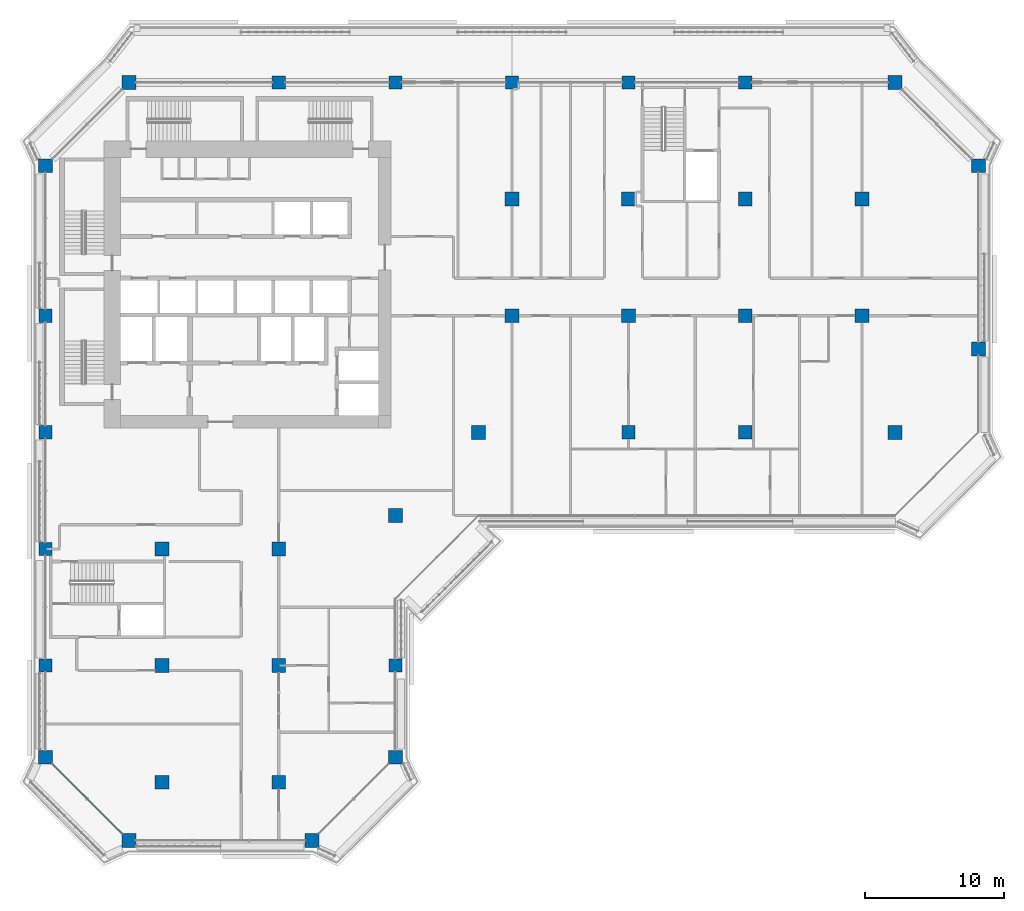
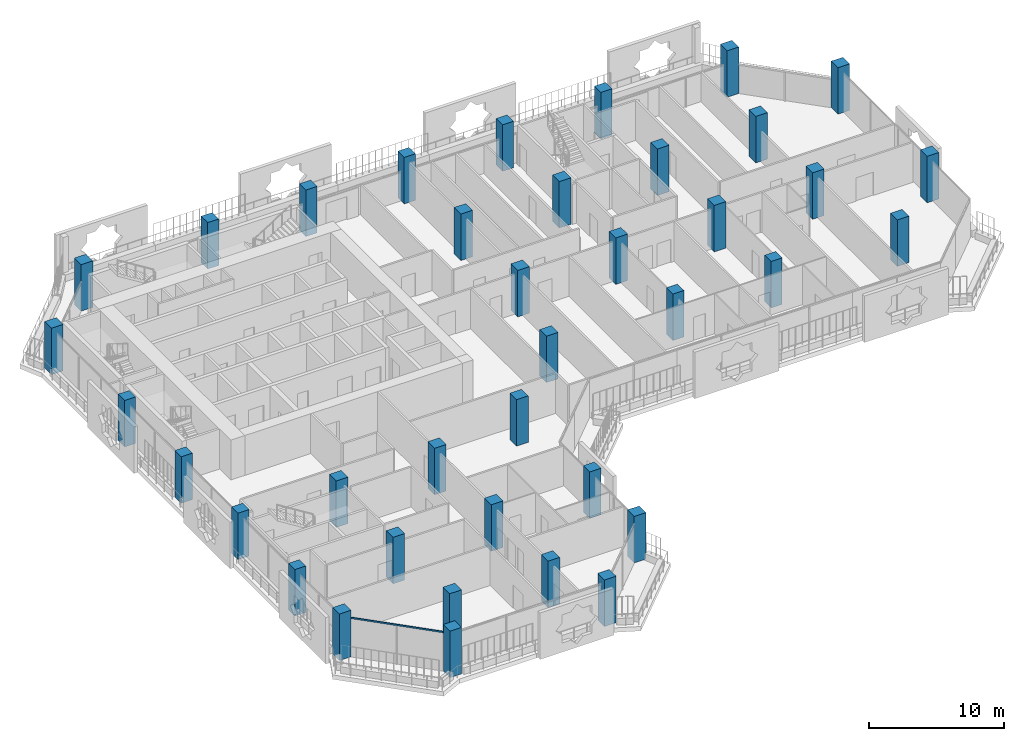
# One storey, part 1 of 22: 38 columns, 1 member, 1 element without a shape of its own.
"""IFC4 building model written with IfcOpenShell, lengths in metres."""

from ifc_helpers import new_model, si_unit, direction, frame, origin, origin_2d, place, context, subcontext, project, spatial, rectangle, extrude, material, layer, layer_set, material_profile, profile_set, type_object, element, aggregate, save


model = new_model("IFC4")

# Units and contexts
model_context = context("Model", 3, precision=1e-05, world=origin(), true_north=direction((0.0, 1.0)))
body_context = subcontext(model_context, "Body", "Model", "MODEL_VIEW")
ifc_project = project(units=[si_unit("LENGTHUNIT", "METRE"), si_unit("AREAUNIT", "SQUARE_METRE"), si_unit("VOLUMEUNIT", "CUBIC_METRE"), si_unit("PLANEANGLEUNIT", "RADIAN"), si_unit("MASSUNIT", "GRAM", prefix="KILO")], contexts=[model_context])

# Site, building, storey
site_placement = place(None, origin())
site = spatial("IfcSite", under=ifc_project, at=site_placement, CompositionType="ELEMENT")
building_placement = place(site_placement, origin())
building = spatial("IfcBuilding", under=site, at=building_placement, Name="Kawkab Arch Medical Tower", CompositionType="ELEMENT")
storey_placement = place(building_placement, frame((0.0, 0.0, 183.60009765625)))
storey = spatial("IfcBuildingStorey", under=building, at=storey_placement, Name="L42", CompositionType="ELEMENT", Elevation=183.60009765625)

# Columns
ifc_material_1 = material(Name="Concrete C50/60", Category="concrete")
ifc_material_profile_1 = material_profile(ifc_material_1, rectangle(XDim=1.0, YDim=1.0, at=origin_2d()), Name="RC 1000x1000")
ifc_profile_set_1 = profile_set([ifc_material_profile_1], Name="Concrete C50/60")
column_type_1 = type_object("IfcColumnType", Name="RC 1000x1000 column C50/60", PredefinedType="COLUMN", material=ifc_profile_set_1)
for number, where, z_axis, x_axis, name in (
    (1, (6.0, 0.0, 0.0), (0.0, 0.0, 1.0), (1.0, 0.0, 0.0), "Column RC 1000x1000"),
    (2, (61.199951171875, 0.0, 0.0), (0.0, 0.0, 1.0), (1.0, 0.0, 0.0), "Column RC 1000x1000"),
    (3, (0.0, -6.0, 0.0), (0.0, 0.0, 1.0), (1.0, 0.0, 0.0), "Column RC 1000x1000"),
    (4, (67.199951171875, -6.0, 0.0), (0.0, 0.0, 1.0), (1.0, 0.0, 0.0), "Column RC 1000x1000"),
    (5, (33.60009765625, -8.39990234375, 0.0), (0.0, 0.0, 1.0), (1.0, 0.0, 0.0), "Column RC 1000x1000"),
    (6, (42.0, -8.39990234375, 0.0), (0.0, 0.0, 1.0), (1.0, 0.0, 0.0), "Column RC 1000x1000"),
    (7, (50.39990234375, -8.39990234375, 0.0), (0.0, 0.0, 1.0), (1.0, 0.0, 0.0), "Column RC 1000x1000"),
    (8, (58.800048828125, -8.39990234375, 0.0), (0.0, 0.0, 1.0), (1.0, 0.0, 0.0), "Column RC 1000x1000"),
    (9, (33.60009765625, -16.800048828125, 0.0), (0.0, 0.0, 1.0), (1.0, 0.0, 0.0), "Column RC 1000x1000"),
    (10, (42.0, -16.800048828125, 0.0), (0.0, 0.0, 1.0), (1.0, 0.0, 0.0), "Column RC 1000x1000"),
    (11, (50.39990234375, -16.800048828125, 0.0), (0.0, 0.0, 1.0), (1.0, 0.0, 0.0), "Column RC 1000x1000"),
    (12, (58.800048828125, -16.800048828125, 0.0), (0.0, 0.0, 1.0), (1.0, 0.0, 0.0), "Column RC 1000x1000"),
    (13, (67.199951171875, -19.199951171875, 0.0), (0.0, 0.0, 1.0), (1.0, 0.0, 0.0), "Column RC 1000x1000"),
    (14, (31.199951171875, -25.199951171875, 0.0), (0.0, 0.0, 1.0), (1.0, 0.0, 0.0), "Column RC 1000x1000"),
    (15, (61.199951171875, -25.199951171875, 0.0), (0.0, 0.0, 1.0), (1.0, 0.0, 0.0), "Column RC 1000x1000"),
    (16, (25.199951171875, -31.199951171875, 0.0), (0.0, 0.0, 1.0), (1.0, 0.0, 0.0), "Column RC 1000x1000"),
    (17, (8.39990234375, -33.60009765625, 0.0), (0.0, 0.0, 1.0), (1.0, 0.0, 0.0), "Column RC 1000x1000"),
    (18, (16.800048828125, -33.60009765625, 0.0), (0.0, 0.0, 1.0), (1.0, 0.0, 0.0), "Column RC 1000x1000"),
    (19, (8.39990234375, -42.0, 0.0), (0.0, 0.0, 1.0), (1.0, 0.0, 0.0), "Column RC 1000x1000"),
    (20, (16.800048828125, -42.0, 0.0), (0.0, 0.0, 1.0), (1.0, 0.0, 0.0), "Column RC 1000x1000"),
    (21, (0.0, -48.60009765625, 0.0), (0.0, 0.0, 1.0), (1.0, 0.0, 0.0), "Column RC 1000x1000"),
    (22, (25.199951171875, -48.60009765625, 0.0), (0.0, 0.0, 1.0), (1.0, 0.0, 0.0), "Column RC 1000x1000"),
    (23, (8.39990234375, -50.39990234375, 0.0), (0.0, 0.0, 1.0), (1.0, 0.0, 0.0), "Column RC 1000x1000"),
    (24, (16.800048828125, -50.39990234375, 0.0), (0.0, 0.0, 1.0), (1.0, 0.0, 0.0), "Column RC 1000x1000"),
    (25, (6.0, -54.60009765625, 0.0), (0.0, 0.0, 1.0), (1.0, 0.0, 0.0), "Column RC 1000x1000"),
    (26, (19.199951171875, -54.60009765625, 0.0), (0.0, 0.0, 1.0), (1.0, 0.0, 0.0), "Column RC 1000x1000"),
):
    element("IfcColumn", number, at=place(storey_placement, frame(where, z_axis=z_axis, x_axis=x_axis)), inside=storey, type_object=column_type_1, Name=name, PredefinedType="COLUMN", context=body_context, shape_type="SweptSolid", body=[
        extrude(rectangle(XDim=1.0, YDim=1.0, at=origin_2d()), origin(), (0.0, 0.0, 1.0), 4.199951171875),
    ])
ifc_material_2 = material(Name="Concrete C50/60", Category="concrete")
ifc_material_profile_2 = material_profile(ifc_material_2, rectangle(XDim=0.949951171875, YDim=0.949951171875, at=origin_2d()), Name="RC 950x950")
ifc_profile_set_2 = profile_set([ifc_material_profile_2], Name="Concrete C50/60")
column_type_2 = type_object("IfcColumnType", Name="RC 950x950 column C50/60", PredefinedType="COLUMN", material=ifc_profile_set_2)
for number, where, z_axis, x_axis, name in (
    (27, (16.800048828125, 0.0, 0.0), (0.0, 0.0, 1.0), (1.0, 0.0, 0.0), "Column RC 950x950"),
    (28, (25.199951171875, 0.0, 0.0), (0.0, 0.0, 1.0), (1.0, 0.0, 0.0), "Column RC 950x950"),
    (29, (33.60009765625, 0.0, 0.0), (0.0, 0.0, 1.0), (1.0, 0.0, 0.0), "Column RC 950x950"),
    (30, (42.0, 0.0, 0.0), (0.0, 0.0, 1.0), (1.0, 0.0, 0.0), "Column RC 950x950"),
    (31, (50.39990234375, 0.0, 0.0), (0.0, 0.0, 1.0), (1.0, 0.0, 0.0), "Column RC 950x950"),
    (32, (0.0, -16.800048828125, 0.0), (0.0, 0.0, 1.0), (1.0, 0.0, 0.0), "Column RC 950x950"),
    (33, (0.0, -25.199951171875, 0.0), (0.0, 0.0, 1.0), (1.0, 0.0, 0.0), "Column RC 950x950"),
    (34, (42.0, -25.199951171875, 0.0), (0.0, 0.0, 1.0), (1.0, 0.0, 0.0), "Column RC 950x950"),
    (35, (50.39990234375, -25.199951171875, 0.0), (0.0, 0.0, 1.0), (1.0, 0.0, 0.0), "Column RC 950x950"),
    (36, (0.0, -33.60009765625, 0.0), (0.0, 0.0, 1.0), (1.0, 0.0, 0.0), "Column RC 950x950"),
    (37, (0.0, -42.0, 0.0), (0.0, 0.0, 1.0), (1.0, 0.0, 0.0), "Column RC 950x950"),
    (38, (25.199951171875, -42.0, 0.0), (0.0, 0.0, 1.0), (1.0, 0.0, 0.0), "Column RC 950x950"),
):
    element("IfcColumn", number, at=place(storey_placement, frame(where, z_axis=z_axis, x_axis=x_axis)), inside=storey, type_object=column_type_2, Name=name, PredefinedType="COLUMN", context=body_context, shape_type="SweptSolid", body=[
        extrude(rectangle(XDim=0.949951171875, YDim=0.949951171875, at=origin_2d()), origin(), (0.0, 0.0, 1.0), 4.199951171875),
    ])

# Curtain wall, member
ifc_material_3 = material(Name="Bronze anodised aluminium curtain wall frame", Category="aluminium")
ifc_layer = layer(ifc_material_3, 0.159912109375)
ifc_layer_set = layer_set([ifc_layer], Name="Bronze anodised aluminium curtain wall frame")
curtain_wall_type = type_object("IfcCurtainWallType", Name="CW2 chamfer curtain wall", PredefinedType="NOTDEFINED", material=ifc_layer_set)
curtain_wall_placement = place(storey_placement, origin())
curtain_wall = element("IfcCurtainWall", 39, at=curtain_wall_placement, inside=storey, type_object=curtain_wall_type, Name="CW2 Chamfer curtain wall R02", PredefinedType="NOTDEFINED")
ifc_material_4 = material(Name="Bronze anodised aluminium curtain wall frame", Category="aluminium")
ifc_material_profile_3 = material_profile(ifc_material_4, rectangle(XDim=0.06005859375, YDim=0.139892578125, at=origin_2d()), Name="AL 60x140")
ifc_profile_set_3 = profile_set([ifc_material_profile_3], Name="Bronze anodised aluminium curtain wall frame")
member_type = type_object("IfcMemberType", Name="CW2 transom 140 x 60", PredefinedType="USERDEFINED", material=ifc_profile_set_3)
member_placement = place(storey_placement, frame((0.5, -49.10009765625, 3.52978515625), z_axis=(0.707106781187, -0.707106781187, 0.0), x_axis=(0.707106781187, 0.707106781187, 0.0)))
member = element("IfcMember", 40, at=member_placement, type_object=member_type, Name="CW2 transom 1", ObjectType="TRANSOM", PredefinedType="USERDEFINED", context=body_context, shape_type="SweptSolid", body=[
    extrude(rectangle(XDim=0.06005859375, YDim=0.139892578125, at=origin_2d()), origin(), (0.0, 0.0, 1.0), 7.071044921875),
])
aggregate(curtain_wall, [member])

save(model, "model.ifc")
